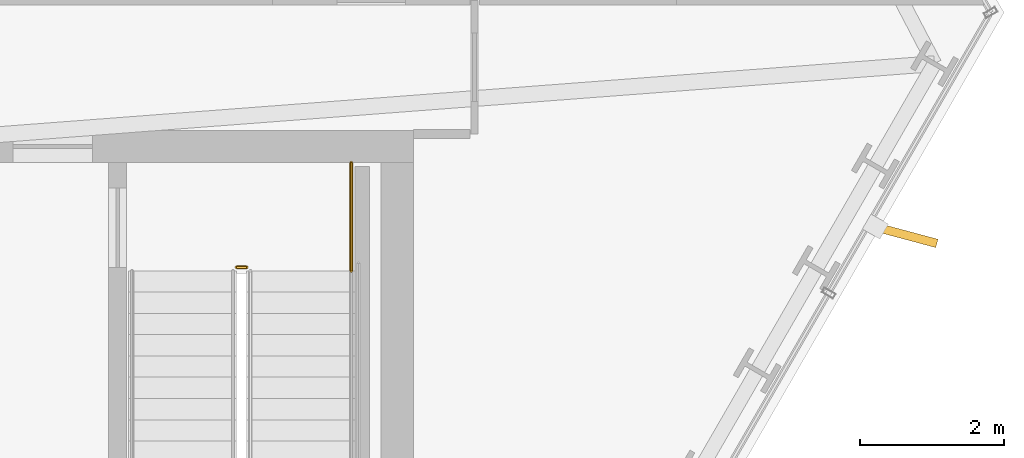
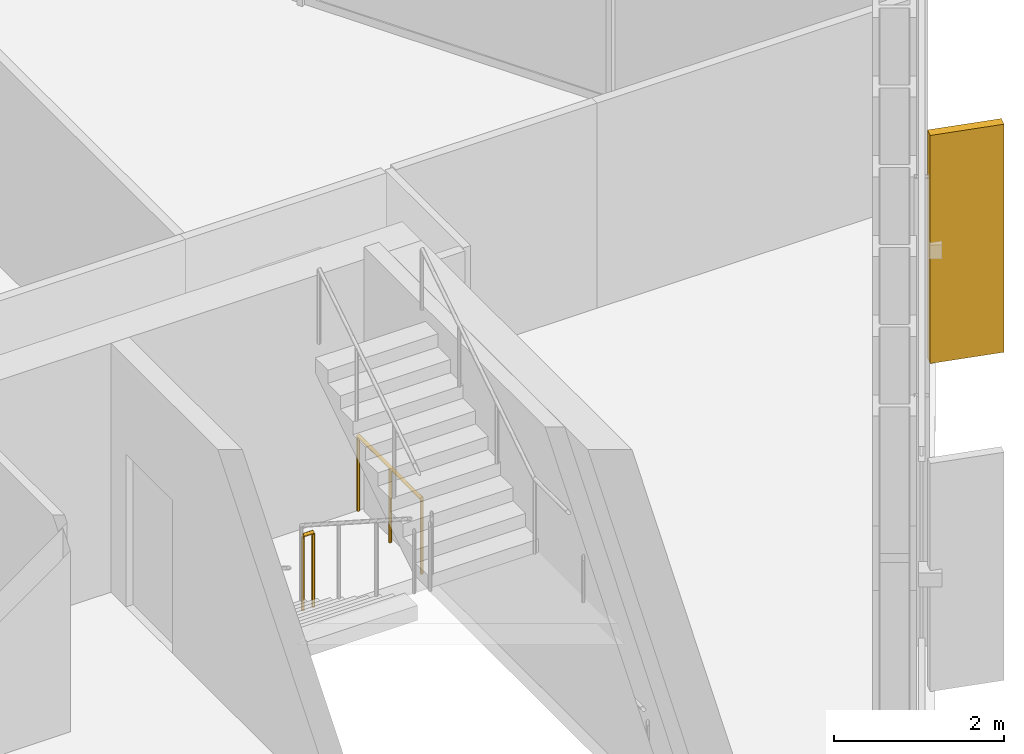
# One storey, part 30 of 31: 2 railings, 1 shading device.
"""IFC4 building model written with IfcOpenShell, lengths in metres."""

from ifc_helpers import new_model, si_unit, direction, frame, origin, origin_2d, place, context, subcontext, project, spatial, rectangle, circle, extrude, material, layer, layer_set, type_object, element, save


model = new_model("IFC4")

# Units and contexts
model_context = context("Model", 3, precision=1e-05, world=origin(), true_north=direction((0.0, 1.0)))
body_context = subcontext(model_context, "Body", "Model", "MODEL_VIEW")
ifc_project = project(units=[si_unit("LENGTHUNIT", "METRE"), si_unit("AREAUNIT", "SQUARE_METRE"), si_unit("VOLUMEUNIT", "CUBIC_METRE"), si_unit("PLANEANGLEUNIT", "RADIAN"), si_unit("MASSUNIT", "GRAM", prefix="KILO")], contexts=[model_context])

# Site, building, storey
site_placement = place(None, origin())
site = spatial("IfcSite", under=ifc_project, at=site_placement, CompositionType="ELEMENT")
building_placement = place(site_placement, origin())
building = spatial("IfcBuilding", under=site, at=building_placement, Name="Ndaravel Arena Tower", CompositionType="ELEMENT")
storey_placement = place(building_placement, frame((0.0, 0.0, 104.39990234375)))
storey = spatial("IfcBuildingStorey", under=building, at=storey_placement, Name="L24", CompositionType="ELEMENT", Elevation=104.39990234375)

# Railings
ifc_material_1 = material(Name="Steel S355", Category="steel")
ifc_layer = layer(ifc_material_1, 0.06005859375)
ifc_layer_set = layer_set([ifc_layer], Name="Steel S355")
railing_type = type_object("IfcRailingType", Name="RAIL-STAIR-GD1100", PredefinedType="GUARDRAIL", material=ifc_layer_set)
railing_1_placement = place(storey_placement, frame((55.10009765625, 13.300048828125, 0.0)))
element("IfcRailing", 1, at=railing_1_placement, inside=storey, type_object=railing_type, Name="L24 ST-3 stair guard 4", PredefinedType="GUARDRAIL", context=body_context, shape_type="SweptSolid", body=[
    extrude(circle(Radius=0.02392578125, at=origin_2d()), frame((0.0, 0.0, 1.076171875), z_axis=(1.0, 0.0, 0.0), x_axis=(0.0, 1.0, 0.0)), (0.0, 0.0, 1.0), 0.139892578125),
    extrude(circle(Radius=0.02099609375, at=origin_2d()), origin(), (0.0, 0.0, 1.0), 1.052001953125),
    extrude(circle(Radius=0.02099609375, at=origin_2d()), frame((0.139892578125, 0.0, 0.0)), (0.0, 0.0, 1.0), 1.052001953125),
])
railing_2_placement = place(storey_placement, frame((56.68994140625, 14.75, 0.0)))
element("IfcRailing", 2, at=railing_2_placement, inside=storey, type_object=railing_type, Name="L24 ST-3 stair guard 5", PredefinedType="GUARDRAIL", context=body_context, shape_type="SweptSolid", body=[
    extrude(circle(Radius=0.02392578125, at=origin_2d()), frame((0.0, 0.0, 1.076171875), z_axis=(0.0, -1.0, 0.0), x_axis=(1.0, 0.0, 0.0)), (0.0, 0.0, 1.0), 1.5),
    extrude(circle(Radius=0.02099609375, at=origin_2d()), origin(), (0.0, 0.0, 1.0), 1.052001953125),
    extrude(circle(Radius=0.02099609375, at=origin_2d()), frame((0.0, -0.75, 0.0)), (0.0, 0.0, 1.0), 1.052001953125),
    extrude(circle(Radius=0.02099609375, at=origin_2d()), frame((0.0, -1.5, 0.0)), (0.0, 0.0, 1.0), 1.052001953125),
])

# Shading device
ifc_material_2 = material(Name="Masonry", Category="masonry")
shading_device_type = type_object("IfcShadingDeviceType", Name="SHD-MAZERAS-FIN", PredefinedType="SHUTTER", material=ifc_material_2)
shading_device_placement = place(storey_placement, frame((64.376220703125, 13.747314453125, 0.14990234375), z_axis=(0.0, 0.0, 1.0), x_axis=(0.965925826289, -0.258819045103, 0.0)))
element("IfcShadingDevice", 3, at=shading_device_placement, inside=storey, type_object=shading_device_type, Name="L24 Mazeras Stone Solar Fin E2.2", PredefinedType="SHUTTER", context=body_context, shape_type="SweptSolid", body=[
    extrude(rectangle(XDim=0.89990234375, YDim=0.1201171875, at=origin_2d()), origin(), (0.0, 0.0, 1.0), 3.280029296875),
])

save(model, "model.ifc")
